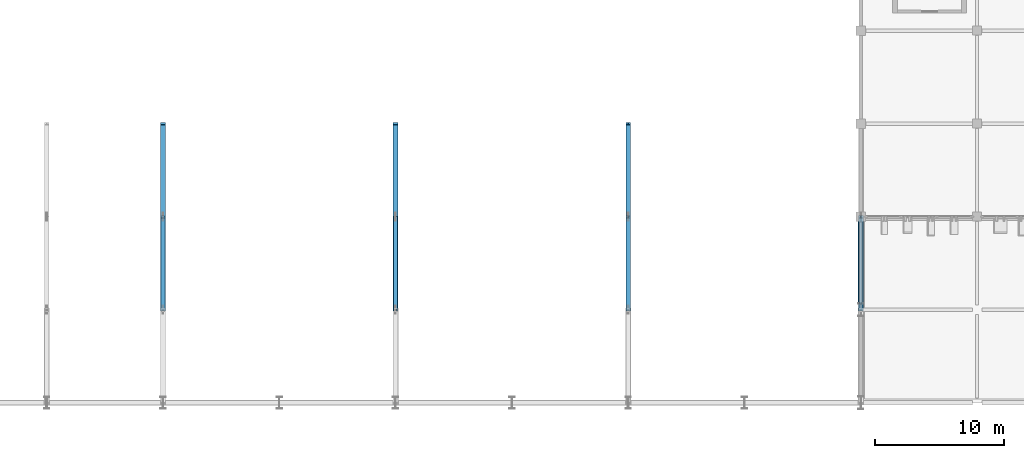
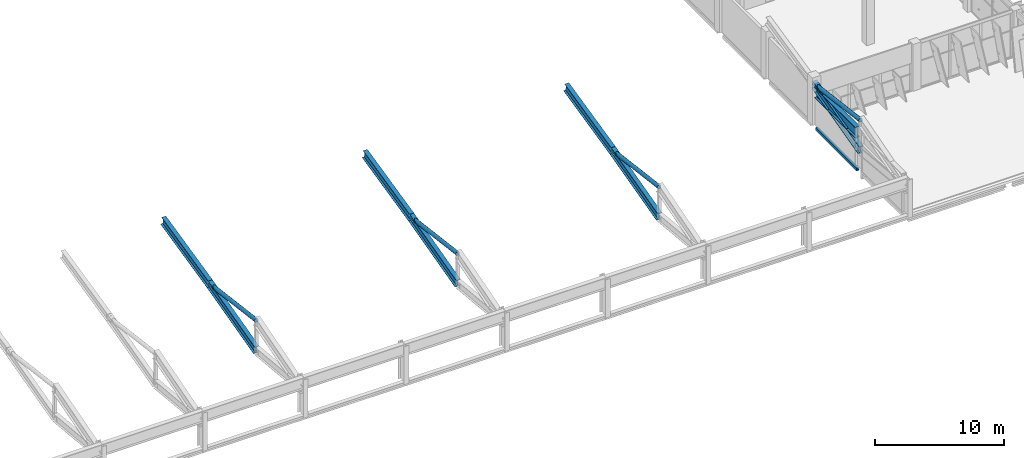
# One storey, part 19 of 151: 11 members, 2 beams.
"""IFC4 building model written with IfcOpenShell, lengths in metres."""

from ifc_helpers import new_model, si_unit, direction, frame, origin, origin_2d, place, context, subcontext, project, spatial, hollow_rectangle, hollow_circle, i_section, extrude, material, material_profile, profile_set, type_object, element, save


model = new_model("IFC4")

# Units and contexts
model_context = context("Model", 3, precision=1e-05, world=origin(), true_north=direction((0.0, 1.0)))
body_context = subcontext(model_context, "Body", "Model", "MODEL_VIEW")
ifc_project = project(units=[si_unit("LENGTHUNIT", "METRE"), si_unit("AREAUNIT", "SQUARE_METRE"), si_unit("VOLUMEUNIT", "CUBIC_METRE"), si_unit("PLANEANGLEUNIT", "RADIAN"), si_unit("MASSUNIT", "GRAM", prefix="KILO")], contexts=[model_context])

# Site, building, storey
site_placement = place(None, origin())
site = spatial("IfcSite", under=ifc_project, at=site_placement, CompositionType="ELEMENT")
building_placement = place(site_placement, origin())
building = spatial("IfcBuilding", under=site, at=building_placement, Name="Celestram Park Convention Centre", CompositionType="ELEMENT")
storey_placement = place(building_placement, frame((0.0, 0.0, 10.800048828125)))
storey = spatial("IfcBuildingStorey", under=building, at=storey_placement, Name="L02", CompositionType="ELEMENT", Elevation=10.800048828125)

# Beam
ifc_material_1 = material(Name="Steel ASTM A992 Grade 50", Category="steel")
ifc_material_profile_1 = material_profile(ifc_material_1, i_section(OverallWidth=0.40087890625, OverallDepth=1.010986328125, WebThickness=0.023681640625, FlangeThickness=0.0419921875, at=origin_2d()), Name="W40X297")
ifc_profile_set_1 = profile_set([ifc_material_profile_1], Name="Steel ASTM A992 Grade 50")
beam_type_1 = type_object("IfcBeamType", Name="STR-BM-W40X297", PredefinedType="BEAM", material=ifc_profile_set_1)
beam_1_placement = place(storey_placement, frame((126.0, 29.303466796875, 3.094482421875), z_axis=(0.0, 1.0, 0.0), x_axis=(-1.0, 0.0, 0.0)))
element("IfcBeam", 1, at=beam_1_placement, inside=storey, type_object=beam_type_1, Name="Exhibition gable tie girder BG-L02-0403", PredefinedType="BEAM", context=body_context, shape_type="SweptSolid", body=[
    extrude(i_section(OverallWidth=0.40087890625, OverallDepth=1.010986328125, WebThickness=0.023681640625, FlangeThickness=0.0419921875, at=origin_2d()), origin(), (0.0, 0.0, 1.0), 6.323486328125),
])

# Members
ifc_material_2 = material(Name="Steel ASTM A500 Grade C", Category="steel")
ifc_material_profile_2 = material_profile(ifc_material_2, hollow_circle(Radius=0.177978515625, WallThickness=0.011962890625, at=origin_2d()), Name="CHS356X12")
ifc_profile_set_2 = profile_set([ifc_material_profile_2], Name="Steel ASTM A500 Grade C")
member_type_1 = type_object("IfcMemberType", Name="STR-BRC-CHS356", PredefinedType="BRACE", material=ifc_profile_set_2)
for number, where, z_axis, x_axis, name in (
    (2, (72.0, 28.800048828125, 4.536865234375), (0.0, 0.991906664472, -0.126969165453), (-1.0, 0.0, 0.0), "V1 arch web diagonal"),
    (3, (90.0, 28.800048828125, 4.536865234375), (0.0, 0.991906664472, -0.126969165453), (-1.0, 0.0, 0.0), "V1 arch web diagonal"),
    (4, (108.0, 28.800048828125, 4.536865234375), (0.0, 0.991906664472, -0.126969165453), (-1.0, 0.0, 0.0), "V1 arch web diagonal"),
    (5, (126.0, 28.800048828125, 4.536865234375), (0.0, 0.991906664472, -0.126969165453), (-1.0, 0.0, 0.0), "V1 arch web diagonal"),
):
    element("IfcMember", number, at=place(storey_placement, frame(where, z_axis=z_axis, x_axis=x_axis)), inside=storey, type_object=member_type_1, Name=name, PredefinedType="BRACE", context=body_context, shape_type="SweptSolid", body=[
        extrude(hollow_circle(Radius=0.177978515625, WallThickness=0.011962890625, at=origin_2d()), origin(), (0.0, 0.0, 1.0), 7.2587890625),
    ])
ifc_material_profile_3 = material_profile(ifc_material_1, i_section(OverallWidth=0.381103515625, OverallDepth=0.77197265625, WebThickness=0.0166015625, FlangeThickness=0.027099609375, at=origin_2d()), Name="W30X173")
ifc_profile_set_3 = profile_set([ifc_material_profile_3], Name="Steel ASTM A992 Grade 50")
member_type_2 = type_object("IfcMemberType", Name="STR-CHD-W30X173", PredefinedType="CHORD", material=ifc_profile_set_3)
member_1_placement = place(storey_placement, frame((72.0, 28.800048828125, 1.73681640625), z_axis=(0.0, 0.967611697295, 0.252443267403), x_axis=(-1.0, 0.0, 0.0)))
element("IfcMember", 6, at=member_1_placement, inside=storey, type_object=member_type_2, Name="V1 arch bottom chord", PredefinedType="CHORD", context=body_context, shape_type="SweptSolid", body=[
    extrude(i_section(OverallWidth=0.381103515625, OverallDepth=0.77197265625, WebThickness=0.0166015625, FlangeThickness=0.027099609375, at=origin_2d()), origin(), (0.0, 0.0, 1.0), 7.44091796875),
])
member_2_placement = place(storey_placement, frame((72.0, 36.0, 3.615234375), z_axis=(0.0, 0.9747852179, 0.223145197045), x_axis=(-1.0, 0.0, 0.0)))
element("IfcMember", 7, at=member_2_placement, inside=storey, type_object=member_type_2, Name="V1 arch bottom chord", PredefinedType="CHORD", context=body_context, shape_type="SweptSolid", body=[
    extrude(i_section(OverallWidth=0.381103515625, OverallDepth=0.77197265625, WebThickness=0.0166015625, FlangeThickness=0.027099609375, at=origin_2d()), origin(), (0.0, 0.0, 1.0), 7.38623046875),
])
member_3_placement = place(storey_placement, frame((90.0, 28.800048828125, 1.73681640625), z_axis=(0.0, 0.967611697295, 0.252443267403), x_axis=(-1.0, 0.0, 0.0)))
element("IfcMember", 8, at=member_3_placement, inside=storey, type_object=member_type_2, Name="V1 arch bottom chord", PredefinedType="CHORD", context=body_context, shape_type="SweptSolid", body=[
    extrude(i_section(OverallWidth=0.381103515625, OverallDepth=0.77197265625, WebThickness=0.0166015625, FlangeThickness=0.027099609375, at=origin_2d()), origin(), (0.0, 0.0, 1.0), 7.44091796875),
])
member_4_placement = place(storey_placement, frame((90.0, 36.0, 3.615234375), z_axis=(0.0, 0.9747852179, 0.223145197045), x_axis=(-1.0, 0.0, 0.0)))
element("IfcMember", 9, at=member_4_placement, inside=storey, type_object=member_type_2, Name="V1 arch bottom chord", PredefinedType="CHORD", context=body_context, shape_type="SweptSolid", body=[
    extrude(i_section(OverallWidth=0.381103515625, OverallDepth=0.77197265625, WebThickness=0.0166015625, FlangeThickness=0.027099609375, at=origin_2d()), origin(), (0.0, 0.0, 1.0), 7.38623046875),
])
member_5_placement = place(storey_placement, frame((108.0, 28.800048828125, 1.73681640625), z_axis=(0.0, 0.967611697295, 0.252443267403), x_axis=(-1.0, 0.0, 0.0)))
element("IfcMember", 10, at=member_5_placement, inside=storey, type_object=member_type_2, Name="V1 arch bottom chord", PredefinedType="CHORD", context=body_context, shape_type="SweptSolid", body=[
    extrude(i_section(OverallWidth=0.381103515625, OverallDepth=0.77197265625, WebThickness=0.0166015625, FlangeThickness=0.027099609375, at=origin_2d()), origin(), (0.0, 0.0, 1.0), 7.44091796875),
])
member_6_placement = place(storey_placement, frame((108.0, 36.0, 3.615234375), z_axis=(0.0, 0.9747852179, 0.223145197045), x_axis=(-1.0, 0.0, 0.0)))
element("IfcMember", 11, at=member_6_placement, inside=storey, type_object=member_type_2, Name="V1 arch bottom chord", PredefinedType="CHORD", context=body_context, shape_type="SweptSolid", body=[
    extrude(i_section(OverallWidth=0.381103515625, OverallDepth=0.77197265625, WebThickness=0.0166015625, FlangeThickness=0.027099609375, at=origin_2d()), origin(), (0.0, 0.0, 1.0), 7.38623046875),
])
member_7_placement = place(storey_placement, frame((126.0, 28.800048828125, 1.73681640625), z_axis=(0.0, 0.967611697295, 0.252443267403), x_axis=(-1.0, 0.0, 0.0)))
element("IfcMember", 12, at=member_7_placement, inside=storey, type_object=member_type_2, Name="V1 arch bottom chord", PredefinedType="CHORD", context=body_context, shape_type="SweptSolid", body=[
    extrude(i_section(OverallWidth=0.381103515625, OverallDepth=0.77197265625, WebThickness=0.0166015625, FlangeThickness=0.027099609375, at=origin_2d()), origin(), (0.0, 0.0, 1.0), 7.44091796875),
])

# Beam
ifc_material_profile_4 = material_profile(ifc_material_2, hollow_rectangle(XDim=0.199951171875, YDim=0.300048828125, WallThickness=0.011962890625, at=origin_2d()), Name="HSS300X200X12")
ifc_profile_set_4 = profile_set([ifc_material_profile_4], Name="Steel ASTM A500 Grade C")
beam_type_2 = type_object("IfcBeamType", Name="STR-SPN-HSS300X200", PredefinedType="SPANDREL", material=ifc_profile_set_4)
beam_2_placement = place(storey_placement, frame((126.0, 29.263916015625, -0.39013671875), z_axis=(0.0, 1.0, 0.0), x_axis=(-1.0, 0.0, 0.0)))
element("IfcBeam", 13, at=beam_2_placement, inside=storey, type_object=beam_type_2, Name="Primary Y-girder BG-L02-0159", PredefinedType="SPANDREL", context=body_context, shape_type="SweptSolid", body=[
    extrude(hollow_rectangle(XDim=0.199951171875, YDim=0.300048828125, WallThickness=0.011962890625, at=origin_2d()), origin(), (0.0, 0.0, 1.0), 6.338134765625),
])

save(model, "model.ifc")
